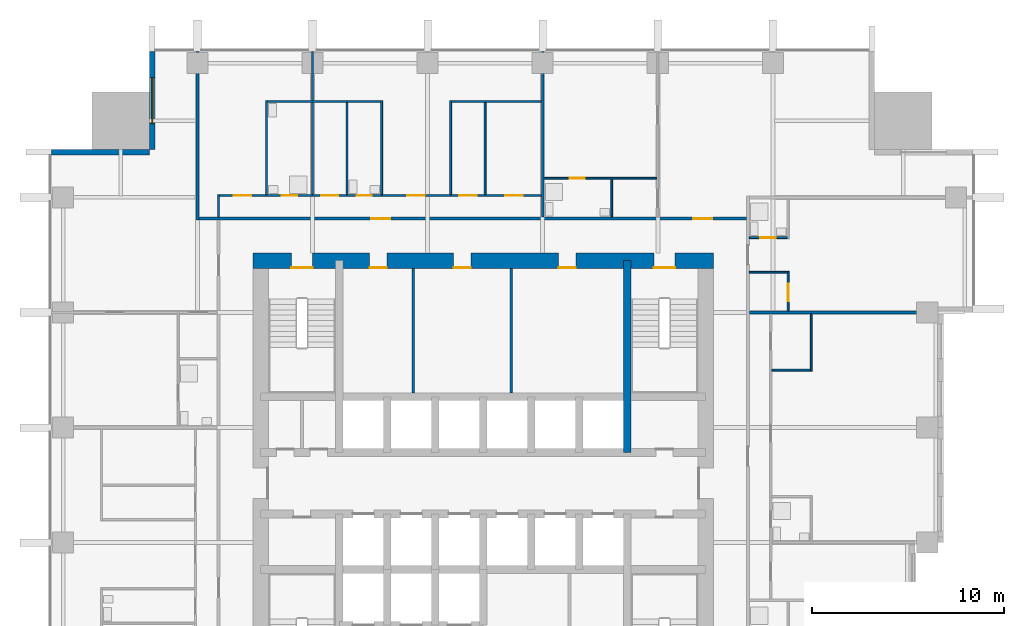
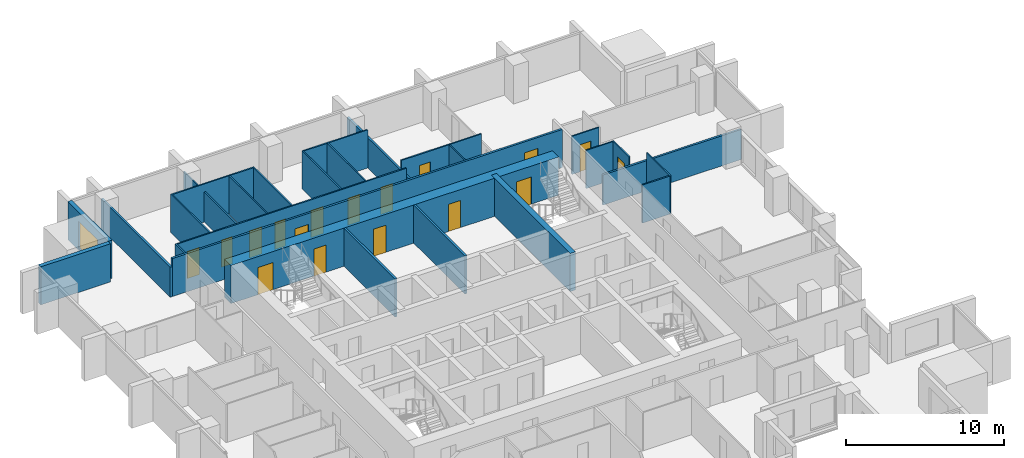
# One storey, part 7 of 10: 27 walls, 17 doors, 1 window, 18 openings.
"""IFC4 building model written with IfcOpenShell, lengths in metres."""

from ifc_helpers import new_model, si_unit, direction, frame, frame_2d, origin, place, context, subcontext, project, spatial, rectangle, extrude, material, layer, layer_set, type_object, element, fill, save


model = new_model("IFC4")

# Units and contexts
model_context = context("Model", 3, precision=1e-05, world=origin(), true_north=direction((0.0, 1.0)))
body_context = subcontext(model_context, "Body", "Model", "MODEL_VIEW")
ifc_project = project(units=[si_unit("LENGTHUNIT", "METRE"), si_unit("AREAUNIT", "SQUARE_METRE"), si_unit("VOLUMEUNIT", "CUBIC_METRE"), si_unit("PLANEANGLEUNIT", "RADIAN"), si_unit("MASSUNIT", "GRAM", prefix="KILO")], contexts=[model_context])

# Site, building, storey
site_placement = place(None, origin())
site = spatial("IfcSite", under=ifc_project, at=site_placement, CompositionType="ELEMENT")
building_placement = place(site_placement, origin())
building = spatial("IfcBuilding", under=site, at=building_placement, Name="Amberfall Residences", CompositionType="ELEMENT")
storey_placement = place(building_placement, frame((0.0, 0.0, 121.60009765625)))
storey = spatial("IfcBuildingStorey", under=building, at=storey_placement, Name="L33", CompositionType="ELEMENT", Elevation=121.60009765625)

# Wall, opening, window
ifc_material_1 = material(Name="Pale stone cladding on insulated backing", Category="masonry")
ifc_layer_1 = layer(ifc_material_1, 0.300048828125)
ifc_layer_set_1 = layer_set([ifc_layer_1], Name="Bronze clad wall 300")
wall_type_1 = type_object("IfcWallType", Name="Bronze clad wall 300", PredefinedType="SOLIDWALL", material=ifc_layer_set_1)
wall_1_placement = place(storey_placement, frame((57.25, 68.0, 0.0), z_axis=(0.0, 0.0, 1.0), x_axis=(0.0, -1.0, 0.0)))
wall_1 = element("IfcWall", 1, at=wall_1_placement, inside=storey, type_object=wall_type_1, Name="External wall L33 NW", PredefinedType="SOLIDWALL", context=body_context, shape_type="SweptSolid", body=[
    extrude(rectangle(XDim=5.10009765625, YDim=0.300048828125, at=frame_2d((2.550048828125, 0.0))), origin(), (0.0, 0.0, 1.0), 2.949951171875),
])
opening_1_placement = place(wall_1_placement, frame((1.35009765625, 0.0, 0.14990234375)))
opening_1 = element("IfcOpeningElement", 2, at=opening_1_placement, cuts=wall_1, Name="Opening WN5", PredefinedType="OPENING", context=body_context, shape_type="SweptSolid", body=[
    extrude(rectangle(XDim=2.39990234375, YDim=2.10009765625, at=frame_2d((1.199951171875, 1.050048828125))), frame((0.0, 0.159912109375, 0.0), z_axis=(0.0, -1.0, 0.0), x_axis=(1.0, 0.0, 0.0)), (0.0, 0.0, 1.0), 0.320068359375),
])
ifc_material_2 = material(Name="Bronze aluminium framed glazing", Category="aluminium")
window_type = type_object("IfcWindowType", Name="Glazed opening 2400 x 2100 bronze", PartitioningType="DOUBLE_PANEL_VERTICAL", PredefinedType="WINDOW", material=ifc_material_2)
window_placement = place(opening_1_placement, origin())
window = element("IfcWindow", 3, at=window_placement, inside=storey, type_object=window_type, Name="Window L33 NW", OverallHeight=2.10009765625, OverallWidth=2.39990234375, PartitioningType="DOUBLE_PANEL_VERTICAL", PredefinedType="WINDOW", context=body_context, shape_type="SweptSolid", body=[
    extrude(rectangle(XDim=2.39990234375, YDim=2.10009765625, at=frame_2d((1.199951171875, 1.050048828125))), frame((0.0, 0.030029296875, 0.0), z_axis=(0.0, -1.0, 0.0), x_axis=(1.0, 0.0, 0.0)), (0.0, 0.0, 1.0), 0.06005859375),
])
fill(opening_1, window)

# Walls
wall_2_placement = place(storey_placement, frame((57.10009765625, 62.75, 0.0), z_axis=(0.0, 0.0, 1.0), x_axis=(-1.0, 0.0, 0.0)))
element("IfcWall", 4, at=wall_2_placement, inside=storey, type_object=wall_type_1, Name="External wall L33 NW", PredefinedType="SOLIDWALL", context=body_context, shape_type="SweptSolid", body=[
    extrude(rectangle(XDim=5.10009765625, YDim=0.300048828125, at=frame_2d((2.550048828125, 0.0))), origin(), (0.0, 0.0, 1.0), 2.949951171875),
])
ifc_material_3 = material(Name="Concrete C70", Category="concrete")
ifc_layer_2 = layer(ifc_material_3, 0.39990234375)
ifc_layer_set_2 = layer_set([ifc_layer_2], Name="Core wall 400 C70")
wall_type_2 = type_object("IfcWallType", Name="Core wall 400 C70", PredefinedType="SHEAR", material=ifc_layer_set_2)
wall_3_placement = place(storey_placement, frame((82.0, 47.10009765625, 0.0), z_axis=(0.0, 0.0, 1.0), x_axis=(0.0, 1.0, 0.0)))
element("IfcWall", 5, at=wall_3_placement, inside=storey, type_object=wall_type_2, Name="Core wall RW4 L33 V195N", PredefinedType="SHEAR", context=body_context, shape_type="SweptSolid", body=[
    extrude(rectangle(XDim=10.0, YDim=0.39990234375, at=frame_2d((5.0, 0.0))), origin(), (0.0, 0.0, 1.0), 2.949951171875),
])

# Wall, openings, doors
ifc_layer_3 = layer(ifc_material_3, 0.800048828125)
ifc_layer_set_3 = layer_set([ifc_layer_3], Name="Core wall 800 C70")
wall_type_3 = type_object("IfcWallType", Name="Core wall 800 C70", PredefinedType="SHEAR", material=ifc_layer_set_3)
wall_4_placement = place(storey_placement, frame((62.5, 57.10009765625, 0.0), z_axis=(0.0, 0.0, 1.0), x_axis=(1.0, 0.0, 0.0)))
wall_4 = element("IfcWall", 6, at=wall_4_placement, inside=storey, type_object=wall_type_3, Name="Core wall RW3 L33 ON", PredefinedType="SHEAR", context=body_context, shape_type="SweptSolid", body=[
    extrude(rectangle(XDim=24.0, YDim=0.800048828125, at=frame_2d((12.0, 0.0))), origin(), (0.0, 0.0, 1.0), 2.949951171875),
])
opening_2_placement = place(wall_4_placement, frame((20.89990234375, 0.0, 0.0)))
opening_2 = element("IfcOpeningElement", 7, at=opening_2_placement, cuts=wall_4, Name="Opening SD1", PredefinedType="OPENING", context=body_context, shape_type="SweptSolid", body=[
    extrude(rectangle(XDim=1.10009765625, YDim=2.10009765625, at=frame_2d((0.550048828125, 1.050048828125))), frame((0.0, 0.409912109375, 0.0), z_axis=(0.0, -1.0, 0.0), x_axis=(1.0, 0.0, 0.0)), (0.0, 0.0, 1.0), 0.820068359375),
])
opening_3_placement = place(wall_4_placement, frame((2.0, 0.0, 0.0)))
opening_3 = element("IfcOpeningElement", 8, at=opening_3_placement, cuts=wall_4, Name="Opening SD1", PredefinedType="OPENING", context=body_context, shape_type="SweptSolid", body=[
    extrude(rectangle(XDim=1.10009765625, YDim=2.10009765625, at=frame_2d((0.550048828125, 1.050048828125))), frame((0.0, 0.409912109375, 0.0), z_axis=(0.0, -1.0, 0.0), x_axis=(1.0, 0.0, 0.0)), (0.0, 0.0, 1.0), 0.820068359375),
])
opening_4_placement = place(wall_4_placement, frame((6.074951171875, 0.0, 0.0)))
opening_4 = element("IfcOpeningElement", 9, at=opening_4_placement, cuts=wall_4, Name="Opening RD1", PredefinedType="OPENING", context=body_context, shape_type="SweptSolid", body=[
    extrude(rectangle(XDim=0.89990234375, YDim=2.10009765625, at=frame_2d((0.449951171875, 1.050048828125))), frame((0.0, 0.409912109375, 0.0), z_axis=(0.0, -1.0, 0.0), x_axis=(1.0, 0.0, 0.0)), (0.0, 0.0, 1.0), 0.820068359375),
])
opening_5_placement = place(wall_4_placement, frame((10.455078125, 0.0, 0.0)))
opening_5 = element("IfcOpeningElement", 10, at=opening_5_placement, cuts=wall_4, Name="Opening RD1", PredefinedType="OPENING", context=body_context, shape_type="SweptSolid", body=[
    extrude(rectangle(XDim=0.89990234375, YDim=2.10009765625, at=frame_2d((0.449951171875, 1.050048828125))), frame((0.0, 0.409912109375, 0.0), z_axis=(0.0, -1.0, 0.0), x_axis=(1.0, 0.0, 0.0)), (0.0, 0.0, 1.0), 0.820068359375),
])
opening_6_placement = place(wall_4_placement, frame((15.929931640625, 0.0, 0.0)))
opening_6 = element("IfcOpeningElement", 11, at=opening_6_placement, cuts=wall_4, Name="Opening RD1", PredefinedType="OPENING", context=body_context, shape_type="SweptSolid", body=[
    extrude(rectangle(XDim=0.89990234375, YDim=2.10009765625, at=frame_2d((0.449951171875, 1.050048828125))), frame((0.0, 0.409912109375, 0.0), z_axis=(0.0, -1.0, 0.0), x_axis=(1.0, 0.0, 0.0)), (0.0, 0.0, 1.0), 0.820068359375),
])
ifc_material_4 = material(Name="Steel fire door set", Category="steel")
door_type_1 = type_object("IfcDoorType", Name="Service room door 900 x 2100", OperationType="SINGLE_SWING_LEFT", PredefinedType="DOOR", material=ifc_material_4)
door_1_placement = place(opening_4_placement, origin())
door_1 = element("IfcDoor", 12, at=door_1_placement, inside=storey, type_object=door_type_1, Name="RD1 L33", OperationType="SINGLE_SWING_RIGHT", OverallHeight=2.10009765625, OverallWidth=0.89990234375, PredefinedType="DOOR", context=body_context, shape_type="SweptSolid", body=[
    extrude(rectangle(XDim=0.89990234375, YDim=2.10009765625, at=frame_2d((0.449951171875, 1.050048828125))), frame((0.0, -0.33740234375, 0.0), z_axis=(0.0, -1.0, 0.0), x_axis=(1.0, 0.0, 0.0)), (0.0, 0.0, 1.0), 0.050048828125),
])
fill(opening_4, door_1)
door_2_placement = place(opening_5_placement, origin())
door_2 = element("IfcDoor", 13, at=door_2_placement, inside=storey, type_object=door_type_1, Name="RD1 L33", OperationType="SINGLE_SWING_RIGHT", OverallHeight=2.10009765625, OverallWidth=0.89990234375, PredefinedType="DOOR", context=body_context, shape_type="SweptSolid", body=[
    extrude(rectangle(XDim=0.89990234375, YDim=2.10009765625, at=frame_2d((0.449951171875, 1.050048828125))), frame((0.0, -0.33740234375, 0.0), z_axis=(0.0, -1.0, 0.0), x_axis=(1.0, 0.0, 0.0)), (0.0, 0.0, 1.0), 0.050048828125),
])
fill(opening_5, door_2)
door_3_placement = place(opening_6_placement, origin())
door_3 = element("IfcDoor", 14, at=door_3_placement, inside=storey, type_object=door_type_1, Name="RD1 L33", OperationType="SINGLE_SWING_RIGHT", OverallHeight=2.10009765625, OverallWidth=0.89990234375, PredefinedType="DOOR", context=body_context, shape_type="SweptSolid", body=[
    extrude(rectangle(XDim=0.89990234375, YDim=2.10009765625, at=frame_2d((0.449951171875, 1.050048828125))), frame((0.0, -0.33740234375, 0.0), z_axis=(0.0, -1.0, 0.0), x_axis=(1.0, 0.0, 0.0)), (0.0, 0.0, 1.0), 0.050048828125),
])
fill(opening_6, door_3)
door_type_2 = type_object("IfcDoorType", Name="Stair door 1100 x 2100", OperationType="SINGLE_SWING_LEFT", PredefinedType="DOOR", material=ifc_material_4)
door_4_placement = place(opening_2_placement, origin())
door_4 = element("IfcDoor", 15, at=door_4_placement, inside=storey, type_object=door_type_2, Name="SD1 L33", OperationType="SINGLE_SWING_RIGHT", OverallHeight=2.10009765625, OverallWidth=1.10009765625, PredefinedType="DOOR", context=body_context, shape_type="SweptSolid", body=[
    extrude(rectangle(XDim=1.10009765625, YDim=2.10009765625, at=frame_2d((0.550048828125, 1.050048828125))), frame((0.0, -0.33740234375, 0.0), z_axis=(0.0, -1.0, 0.0), x_axis=(1.0, 0.0, 0.0)), (0.0, 0.0, 1.0), 0.050048828125),
])
fill(opening_2, door_4)
door_5_placement = place(opening_3_placement, origin())
door_5 = element("IfcDoor", 16, at=door_5_placement, inside=storey, type_object=door_type_2, Name="SD1 L33", OperationType="SINGLE_SWING_LEFT", OverallHeight=2.10009765625, OverallWidth=1.10009765625, PredefinedType="DOOR", context=body_context, shape_type="SweptSolid", body=[
    extrude(rectangle(XDim=1.10009765625, YDim=2.10009765625, at=frame_2d((0.550048828125, 1.050048828125))), frame((0.0, -0.33740234375, 0.0), z_axis=(0.0, -1.0, 0.0), x_axis=(1.0, 0.0, 0.0)), (0.0, 0.0, 1.0), 0.050048828125),
])
fill(opening_3, door_5)

# Walls
ifc_material_5 = material(Name="Gypsum board on metal stud")
ifc_layer_4 = layer(ifc_material_5, 0.10009765625)
ifc_layer_set_4 = layer_set([ifc_layer_4], Name="Flat partition 100")
wall_type_4 = type_object("IfcWallType", Name="Flat partition 100", PredefinedType="PARTITIONING", material=ifc_layer_set_4)
wall_5_placement = place(storey_placement, frame((60.699951171875, 59.375, 0.0), z_axis=(0.0, 0.0, 1.0), x_axis=(0.0, 1.0, 0.0)))
element("IfcWall", 17, at=wall_5_placement, inside=storey, type_object=wall_type_4, Name="Partition 005", PredefinedType="PARTITIONING", context=body_context, shape_type="SweptSolid", body=[
    extrude(rectangle(XDim=1.175048828125, YDim=0.10009765625, at=frame_2d((0.58740234375, 0.0))), origin(), (0.0, 0.0, 1.0), 2.949951171875),
])
wall_6_placement = place(storey_placement, frame((63.199951171875, 60.550048828125, 0.0), z_axis=(0.0, 0.0, 1.0), x_axis=(0.0, 1.0, 0.0)))
element("IfcWall", 18, at=wall_6_placement, inside=storey, type_object=wall_type_4, Name="Partition 006", PredefinedType="PARTITIONING", context=body_context, shape_type="SweptSolid", body=[
    extrude(rectangle(XDim=4.89990234375, YDim=0.10009765625, at=frame_2d((2.449951171875, 0.0))), origin(), (0.0, 0.0, 1.0), 2.949951171875),
])
wall_7_placement = place(storey_placement, frame((65.60009765625, 60.550048828125, 0.0), z_axis=(0.0, 0.0, 1.0), x_axis=(0.0, 1.0, 0.0)))
element("IfcWall", 19, at=wall_7_placement, inside=storey, type_object=wall_type_4, Name="Partition 007", PredefinedType="PARTITIONING", context=body_context, shape_type="SweptSolid", body=[
    extrude(rectangle(XDim=7.449951171875, YDim=0.10009765625, at=frame_2d((3.72509765625, 0.0))), origin(), (0.0, 0.0, 1.0), 2.331787109375),
])
wall_8_placement = place(storey_placement, frame((67.39990234375, 60.550048828125, 0.0), z_axis=(0.0, 0.0, 1.0), x_axis=(0.0, 1.0, 0.0)))
element("IfcWall", 20, at=wall_8_placement, inside=storey, type_object=wall_type_4, Name="Partition 008", PredefinedType="PARTITIONING", context=body_context, shape_type="SweptSolid", body=[
    extrude(rectangle(XDim=4.800048828125, YDim=0.10009765625, at=frame_2d((2.39990234375, 0.0))), origin(), (0.0, 0.0, 1.0), 2.949951171875),
])
for number, where, z_axis, x_axis, name in (
    (21, (69.199951171875, 60.550048828125, 0.0), (0.0, 0.0, 1.0), (0.0, 1.0, 0.0), "Partition 010"),
    (22, (72.800048828125, 60.550048828125, 0.0), (0.0, 0.0, 1.0), (0.0, 1.0, 0.0), "Partition 012"),
):
    element("IfcWall", number, at=place(storey_placement, frame(where, z_axis=z_axis, x_axis=x_axis)), inside=storey, type_object=wall_type_4, Name=name, PredefinedType="PARTITIONING", context=body_context, shape_type="SweptSolid", body=[
        extrude(rectangle(XDim=4.89990234375, YDim=0.10009765625, at=frame_2d((2.449951171875, 0.0))), origin(), (0.0, 0.0, 1.0), 2.949951171875),
    ])
wall_9_placement = place(storey_placement, frame((74.60009765625, 60.550048828125, 0.0), z_axis=(0.0, 0.0, 1.0), x_axis=(0.0, 1.0, 0.0)))
element("IfcWall", 23, at=wall_9_placement, inside=storey, type_object=wall_type_4, Name="Partition 013", PredefinedType="PARTITIONING", context=body_context, shape_type="SweptSolid", body=[
    extrude(rectangle(XDim=4.800048828125, YDim=0.10009765625, at=frame_2d((2.39990234375, 0.0))), origin(), (0.0, 0.0, 1.0), 2.949951171875),
])
wall_10_placement = place(storey_placement, frame((81.199951171875, 59.375, 0.0), z_axis=(0.0, 0.0, 1.0), x_axis=(0.0, 1.0, 0.0)))
element("IfcWall", 24, at=wall_10_placement, inside=storey, type_object=wall_type_4, Name="Partition 016", PredefinedType="PARTITIONING", context=body_context, shape_type="SweptSolid", body=[
    extrude(rectangle(XDim=1.97509765625, YDim=0.10009765625, at=frame_2d((0.987548828125, 0.0))), origin(), (0.0, 0.0, 1.0), 2.949951171875),
])

# Wall, opening, door
wall_11_placement = place(storey_placement, frame((90.39990234375, 54.47509765625, 0.0), z_axis=(0.0, 0.0, 1.0), x_axis=(0.0, 1.0, 0.0)))
wall_11 = element("IfcWall", 25, at=wall_11_placement, inside=storey, type_object=wall_type_4, Name="Partition 021", PredefinedType="PARTITIONING", context=body_context, shape_type="SweptSolid", body=[
    extrude(rectangle(XDim=2.074951171875, YDim=0.10009765625, at=frame_2d((1.03759765625, 0.0))), origin(), (0.0, 0.0, 1.0), 2.949951171875),
])
opening_7_placement = place(wall_11_placement, frame((0.52490234375, 0.0, 0.0)))
opening_7 = element("IfcOpeningElement", 26, at=opening_7_placement, cuts=wall_11, Name="Opening D41", PredefinedType="OPENING", context=body_context, shape_type="SweptSolid", body=[
    extrude(rectangle(XDim=0.89990234375, YDim=2.10009765625, at=frame_2d((0.449951171875, 1.050048828125))), frame((0.0, 0.06005859375, 0.0), z_axis=(0.0, -1.0, 0.0), x_axis=(1.0, 0.0, 0.0)), (0.0, 0.0, 1.0), 0.1201171875),
])
ifc_material_6 = material(Name="Timber", Category="wood")
door_type_3 = type_object("IfcDoorType", Name="Internal door 900 x 2100", OperationType="SINGLE_SWING_LEFT", PredefinedType="DOOR", material=ifc_material_6)
door_6_placement = place(opening_7_placement, origin())
door_6 = element("IfcDoor", 27, at=door_6_placement, inside=storey, type_object=door_type_3, Name="Door 3305 kitchen", OperationType="SINGLE_SWING_LEFT", OverallHeight=2.10009765625, OverallWidth=0.89990234375, PredefinedType="DOOR", context=body_context, shape_type="SweptSolid", body=[
    extrude(rectangle(XDim=0.89990234375, YDim=2.10009765625, at=frame_2d((0.449951171875, 1.050048828125))), frame((0.0, 0.02490234375, 0.0), z_axis=(0.0, -1.0, 0.0), x_axis=(1.0, 0.0, 0.0)), (0.0, 0.0, 1.0), 0.050048828125),
])
fill(opening_7, door_6)

# Walls
wall_12_placement = place(storey_placement, frame((91.60009765625, 51.35009765625, 0.0), z_axis=(0.0, 0.0, 1.0), x_axis=(0.0, 1.0, 0.0)))
element("IfcWall", 28, at=wall_12_placement, inside=storey, type_object=wall_type_4, Name="Partition 024", PredefinedType="PARTITIONING", context=body_context, shape_type="SweptSolid", body=[
    extrude(rectangle(XDim=2.974853515625, YDim=0.10009765625, at=frame_2d((1.4873046875, 0.0))), origin(), (0.0, 0.0, 1.0), 2.949951171875),
])
wall_13_placement = place(storey_placement, frame((63.25, 65.39990234375, 0.0), z_axis=(0.0, 0.0, 1.0), x_axis=(1.0, 0.0, 0.0)))
element("IfcWall", 29, at=wall_13_placement, inside=storey, type_object=wall_type_4, Name="Partition 025", PredefinedType="PARTITIONING", context=body_context, shape_type="SweptSolid", body=[
    extrude(rectangle(XDim=5.89990234375, YDim=0.10009765625, at=frame_2d((2.949951171875, 0.0))), origin(), (0.0, 0.0, 1.0), 2.949951171875),
])
wall_14_placement = place(storey_placement, frame((72.85009765625, 65.39990234375, 0.0), z_axis=(0.0, 0.0, 1.0), x_axis=(1.0, 0.0, 0.0)))
element("IfcWall", 30, at=wall_14_placement, inside=storey, type_object=wall_type_4, Name="Partition 026", PredefinedType="PARTITIONING", context=body_context, shape_type="SweptSolid", body=[
    extrude(rectangle(XDim=4.6748046875, YDim=0.10009765625, at=frame_2d((2.33740234375, 0.0))), origin(), (0.0, 0.0, 1.0), 2.949951171875),
])

# Wall, opening, door
wall_15_placement = place(storey_placement, frame((83.550048828125, 61.39990234375, 0.0), z_axis=(0.0, 0.0, 1.0), x_axis=(-1.0, 0.0, 0.0)))
wall_15 = element("IfcWall", 31, at=wall_15_placement, inside=storey, type_object=wall_type_4, Name="Partition 027", PredefinedType="PARTITIONING", context=body_context, shape_type="SweptSolid", body=[
    extrude(rectangle(XDim=5.875, YDim=0.10009765625, at=frame_2d((2.9375, 0.0))), origin(), (0.0, 0.0, 1.0), 2.949951171875),
])
opening_8_placement = place(wall_15_placement, frame((3.75, 0.0, 0.0)))
opening_8 = element("IfcOpeningElement", 32, at=opening_8_placement, cuts=wall_15, Name="Opening D42", PredefinedType="OPENING", context=body_context, shape_type="SweptSolid", body=[
    extrude(rectangle(XDim=0.800048828125, YDim=2.10009765625, at=frame_2d((0.39990234375, 1.050048828125))), frame((0.0, 0.06005859375, 0.0), z_axis=(0.0, -1.0, 0.0), x_axis=(1.0, 0.0, 0.0)), (0.0, 0.0, 1.0), 0.1201171875),
])
door_type_4 = type_object("IfcDoorType", Name="Bathroom door 800 x 2100", OperationType="SINGLE_SWING_LEFT", PredefinedType="DOOR", material=ifc_material_6)
door_7_placement = place(opening_8_placement, origin())
door_7 = element("IfcDoor", 33, at=door_7_placement, inside=storey, type_object=door_type_4, Name="Door 3307 bath1", OperationType="SINGLE_SWING_LEFT", OverallHeight=2.10009765625, OverallWidth=0.800048828125, PredefinedType="DOOR", context=body_context, shape_type="SweptSolid", body=[
    extrude(rectangle(XDim=0.800048828125, YDim=2.10009765625, at=frame_2d((0.39990234375, 1.050048828125))), frame((0.0, 0.02490234375, 0.0), z_axis=(0.0, -1.0, 0.0), x_axis=(1.0, 0.0, 0.0)), (0.0, 0.0, 1.0), 0.050048828125),
])
fill(opening_8, door_7)

# Wall, openings, doors
wall_16_placement = place(storey_placement, frame((60.75, 60.5, 0.0), z_axis=(0.0, 0.0, 1.0), x_axis=(1.0, 0.0, 0.0)))
wall_16 = element("IfcWall", 34, at=wall_16_placement, inside=storey, type_object=wall_type_4, Name="Partition 028", PredefinedType="PARTITIONING", context=body_context, shape_type="SweptSolid", body=[
    extrude(rectangle(XDim=16.77490234375, YDim=0.10009765625, at=frame_2d((8.387451171875, 0.0))), origin(), (0.0, 0.0, 1.0), 2.949951171875),
])
opening_9_placement = place(wall_16_placement, frame((9.800048828125, 0.0, 0.0)))
opening_9 = element("IfcOpeningElement", 35, at=opening_9_placement, cuts=wall_16, Name="Opening D41", PredefinedType="OPENING", context=body_context, shape_type="SweptSolid", body=[
    extrude(rectangle(XDim=0.89990234375, YDim=2.10009765625, at=frame_2d((0.449951171875, 1.050048828125))), frame((0.0, 0.06005859375, 0.0), z_axis=(0.0, -1.0, 0.0), x_axis=(1.0, 0.0, 0.0)), (0.0, 0.0, 1.0), 0.1201171875),
])
opening_10_placement = place(wall_16_placement, frame((14.89990234375, 0.0, 0.0)))
opening_10 = element("IfcOpeningElement", 36, at=opening_10_placement, cuts=wall_16, Name="Opening D41", PredefinedType="OPENING", context=body_context, shape_type="SweptSolid", body=[
    extrude(rectangle(XDim=0.89990234375, YDim=2.10009765625, at=frame_2d((0.449951171875, 1.050048828125))), frame((0.0, 0.06005859375, 0.0), z_axis=(0.0, -1.0, 0.0), x_axis=(1.0, 0.0, 0.0)), (0.0, 0.0, 1.0), 0.1201171875),
])
opening_11_placement = place(wall_16_placement, frame((12.5, 0.0, 0.0)))
opening_11 = element("IfcOpeningElement", 37, at=opening_11_placement, cuts=wall_16, Name="Opening D41", PredefinedType="OPENING", context=body_context, shape_type="SweptSolid", body=[
    extrude(rectangle(XDim=0.89990234375, YDim=2.10009765625, at=frame_2d((0.449951171875, 1.050048828125))), frame((0.0, 0.06005859375, 0.0), z_axis=(0.0, -1.0, 0.0), x_axis=(1.0, 0.0, 0.0)), (0.0, 0.0, 1.0), 0.1201171875),
])
opening_12_placement = place(wall_16_placement, frame((5.300048828125, 0.0, 0.0)))
opening_12 = element("IfcOpeningElement", 38, at=opening_12_placement, cuts=wall_16, Name="Opening D41", PredefinedType="OPENING", context=body_context, shape_type="SweptSolid", body=[
    extrude(rectangle(XDim=0.89990234375, YDim=2.10009765625, at=frame_2d((0.449951171875, 1.050048828125))), frame((0.0, 0.06005859375, 0.0), z_axis=(0.0, -1.0, 0.0), x_axis=(1.0, 0.0, 0.0)), (0.0, 0.0, 1.0), 0.1201171875),
])
opening_13_placement = place(wall_16_placement, frame((7.14990234375, 0.0, 0.0)))
opening_13 = element("IfcOpeningElement", 39, at=opening_13_placement, cuts=wall_16, Name="Opening D42", PredefinedType="OPENING", context=body_context, shape_type="SweptSolid", body=[
    extrude(rectangle(XDim=0.800048828125, YDim=2.10009765625, at=frame_2d((0.39990234375, 1.050048828125))), frame((0.0, 0.06005859375, 0.0), z_axis=(0.0, -1.0, 0.0), x_axis=(1.0, 0.0, 0.0)), (0.0, 0.0, 1.0), 0.1201171875),
])
opening_14_placement = place(wall_16_placement, frame((0.75, 0.0, 0.0)))
opening_14 = element("IfcOpeningElement", 40, at=opening_14_placement, cuts=wall_16, Name="Opening D41", PredefinedType="OPENING", context=body_context, shape_type="SweptSolid", body=[
    extrude(rectangle(XDim=0.89990234375, YDim=2.10009765625, at=frame_2d((0.449951171875, 1.050048828125))), frame((0.0, 0.06005859375, 0.0), z_axis=(0.0, -1.0, 0.0), x_axis=(1.0, 0.0, 0.0)), (0.0, 0.0, 1.0), 0.1201171875),
])
opening_15_placement = place(wall_16_placement, frame((3.25, 0.0, 0.0)))
opening_15 = element("IfcOpeningElement", 41, at=opening_15_placement, cuts=wall_16, Name="Opening D42", PredefinedType="OPENING", context=body_context, shape_type="SweptSolid", body=[
    extrude(rectangle(XDim=0.800048828125, YDim=2.10009765625, at=frame_2d((0.39990234375, 1.050048828125))), frame((0.0, 0.06005859375, 0.0), z_axis=(0.0, -1.0, 0.0), x_axis=(1.0, 0.0, 0.0)), (0.0, 0.0, 1.0), 0.1201171875),
])
door_8_placement = place(opening_13_placement, origin())
door_8 = element("IfcDoor", 42, at=door_8_placement, inside=storey, type_object=door_type_4, Name="Door 3306 wc1", OperationType="SINGLE_SWING_LEFT", OverallHeight=2.10009765625, OverallWidth=0.800048828125, PredefinedType="DOOR", context=body_context, shape_type="SweptSolid", body=[
    extrude(rectangle(XDim=0.800048828125, YDim=2.10009765625, at=frame_2d((0.39990234375, 1.050048828125))), frame((0.0, 0.02490234375, 0.0), z_axis=(0.0, -1.0, 0.0), x_axis=(1.0, 0.0, 0.0)), (0.0, 0.0, 1.0), 0.050048828125),
])
fill(opening_13, door_8)
door_9_placement = place(opening_15_placement, origin())
door_9 = element("IfcDoor", 43, at=door_9_placement, inside=storey, type_object=door_type_4, Name="Door 3306 bath1", OperationType="SINGLE_SWING_LEFT", OverallHeight=2.10009765625, OverallWidth=0.800048828125, PredefinedType="DOOR", context=body_context, shape_type="SweptSolid", body=[
    extrude(rectangle(XDim=0.800048828125, YDim=2.10009765625, at=frame_2d((0.39990234375, 1.050048828125))), frame((0.0, 0.02490234375, 0.0), z_axis=(0.0, -1.0, 0.0), x_axis=(1.0, 0.0, 0.0)), (0.0, 0.0, 1.0), 0.050048828125),
])
fill(opening_15, door_9)
door_10_placement = place(opening_9_placement, origin())
door_10 = element("IfcDoor", 44, at=door_10_placement, inside=storey, type_object=door_type_3, Name="Door 3306 living", OperationType="SINGLE_SWING_LEFT", OverallHeight=2.10009765625, OverallWidth=0.89990234375, PredefinedType="DOOR", context=body_context, shape_type="SweptSolid", body=[
    extrude(rectangle(XDim=0.89990234375, YDim=2.10009765625, at=frame_2d((0.449951171875, 1.050048828125))), frame((0.0, 0.02490234375, 0.0), z_axis=(0.0, -1.0, 0.0), x_axis=(1.0, 0.0, 0.0)), (0.0, 0.0, 1.0), 0.050048828125),
])
fill(opening_9, door_10)
door_11_placement = place(opening_10_placement, origin())
door_11 = element("IfcDoor", 45, at=door_11_placement, inside=storey, type_object=door_type_3, Name="Door 3306 kitchen", OperationType="SINGLE_SWING_LEFT", OverallHeight=2.10009765625, OverallWidth=0.89990234375, PredefinedType="DOOR", context=body_context, shape_type="SweptSolid", body=[
    extrude(rectangle(XDim=0.89990234375, YDim=2.10009765625, at=frame_2d((0.449951171875, 1.050048828125))), frame((0.0, 0.02490234375, 0.0), z_axis=(0.0, -1.0, 0.0), x_axis=(1.0, 0.0, 0.0)), (0.0, 0.0, 1.0), 0.050048828125),
])
fill(opening_10, door_11)
door_12_placement = place(opening_11_placement, origin())
door_12 = element("IfcDoor", 46, at=door_12_placement, inside=storey, type_object=door_type_3, Name="Door 3306 utility", OperationType="SINGLE_SWING_LEFT", OverallHeight=2.10009765625, OverallWidth=0.89990234375, PredefinedType="DOOR", context=body_context, shape_type="SweptSolid", body=[
    extrude(rectangle(XDim=0.89990234375, YDim=2.10009765625, at=frame_2d((0.449951171875, 1.050048828125))), frame((0.0, 0.02490234375, 0.0), z_axis=(0.0, -1.0, 0.0), x_axis=(1.0, 0.0, 0.0)), (0.0, 0.0, 1.0), 0.050048828125),
])
fill(opening_11, door_12)
door_13_placement = place(opening_12_placement, origin())
door_13 = element("IfcDoor", 47, at=door_13_placement, inside=storey, type_object=door_type_3, Name="Door 3306 store", OperationType="SINGLE_SWING_LEFT", OverallHeight=2.10009765625, OverallWidth=0.89990234375, PredefinedType="DOOR", context=body_context, shape_type="SweptSolid", body=[
    extrude(rectangle(XDim=0.89990234375, YDim=2.10009765625, at=frame_2d((0.449951171875, 1.050048828125))), frame((0.0, 0.02490234375, 0.0), z_axis=(0.0, -1.0, 0.0), x_axis=(1.0, 0.0, 0.0)), (0.0, 0.0, 1.0), 0.050048828125),
])
fill(opening_12, door_13)
door_14_placement = place(opening_14_placement, origin())
door_14 = element("IfcDoor", 48, at=door_14_placement, inside=storey, type_object=door_type_3, Name="Door 3306 bedroom1", OperationType="SINGLE_SWING_LEFT", OverallHeight=2.10009765625, OverallWidth=0.89990234375, PredefinedType="DOOR", context=body_context, shape_type="SweptSolid", body=[
    extrude(rectangle(XDim=0.89990234375, YDim=2.10009765625, at=frame_2d((0.449951171875, 1.050048828125))), frame((0.0, 0.02490234375, 0.0), z_axis=(0.0, -1.0, 0.0), x_axis=(1.0, 0.0, 0.0)), (0.0, 0.0, 1.0), 0.050048828125),
])
fill(opening_14, door_14)

# Wall, opening, door
wall_17_placement = place(storey_placement, frame((88.375, 58.300048828125, 0.0), z_axis=(0.0, 0.0, 1.0), x_axis=(1.0, 0.0, 0.0)))
wall_17 = element("IfcWall", 49, at=wall_17_placement, inside=storey, type_object=wall_type_4, Name="Partition 029", PredefinedType="PARTITIONING", context=body_context, shape_type="SweptSolid", body=[
    extrude(rectangle(XDim=1.97509765625, YDim=0.10009765625, at=frame_2d((0.987548828125, 0.0))), origin(), (0.0, 0.0, 1.0), 2.949951171875),
])
opening_16_placement = place(wall_17_placement, frame((0.574951171875, 0.0, 0.0)))
opening_16 = element("IfcOpeningElement", 50, at=opening_16_placement, cuts=wall_17, Name="Opening D42", PredefinedType="OPENING", context=body_context, shape_type="SweptSolid", body=[
    extrude(rectangle(XDim=0.800048828125, YDim=2.10009765625, at=frame_2d((0.39990234375, 1.050048828125))), frame((0.0, 0.06005859375, 0.0), z_axis=(0.0, -1.0, 0.0), x_axis=(1.0, 0.0, 0.0)), (0.0, 0.0, 1.0), 0.1201171875),
])
door_15_placement = place(opening_16_placement, origin())
door_15 = element("IfcDoor", 51, at=door_15_placement, inside=storey, type_object=door_type_4, Name="Door 3305 bath1", OperationType="SINGLE_SWING_LEFT", OverallHeight=2.10009765625, OverallWidth=0.800048828125, PredefinedType="DOOR", context=body_context, shape_type="SweptSolid", body=[
    extrude(rectangle(XDim=0.800048828125, YDim=2.10009765625, at=frame_2d((0.39990234375, 1.050048828125))), frame((0.0, 0.02490234375, 0.0), z_axis=(0.0, -1.0, 0.0), x_axis=(1.0, 0.0, 0.0)), (0.0, 0.0, 1.0), 0.050048828125),
])
fill(opening_16, door_15)

# Walls
wall_18_placement = place(storey_placement, frame((88.375, 56.5, 0.0), z_axis=(0.0, 0.0, 1.0), x_axis=(1.0, 0.0, 0.0)))
element("IfcWall", 52, at=wall_18_placement, inside=storey, type_object=wall_type_4, Name="Partition 030", PredefinedType="PARTITIONING", context=body_context, shape_type="SweptSolid", body=[
    extrude(rectangle(XDim=1.97509765625, YDim=0.10009765625, at=frame_2d((0.987548828125, 0.0))), origin(), (0.0, 0.0, 1.0), 2.949951171875),
])
wall_19_placement = place(storey_placement, frame((89.550048828125, 51.39990234375, 0.0), z_axis=(0.0, 0.0, 1.0), x_axis=(1.0, 0.0, 0.0)))
element("IfcWall", 53, at=wall_19_placement, inside=storey, type_object=wall_type_4, Name="Partition 033", PredefinedType="PARTITIONING", context=body_context, shape_type="SweptSolid", body=[
    extrude(rectangle(XDim=2.0, YDim=0.10009765625, at=frame_2d((1.0, 0.0))), origin(), (0.0, 0.0, 1.0), 2.949951171875),
])
ifc_material_7 = material(Name="Blockwork, plastered", Category="masonry")
ifc_layer_5 = layer(ifc_material_7, 0.14990234375)
ifc_layer_set_5 = layer_set([ifc_layer_5], Name="Flat separating wall 150")
wall_type_5 = type_object("IfcWallType", Name="Flat separating wall 150", PredefinedType="PARTITIONING", material=ifc_layer_set_5)
wall_20_placement = place(storey_placement, frame((59.60009765625, 59.22509765625, 0.0), z_axis=(0.0, 0.0, 1.0), x_axis=(0.0, 1.0, 0.0)))
element("IfcWall", 54, at=wall_20_placement, inside=storey, type_object=wall_type_5, Name="Separating wall 048", PredefinedType="PARTITIONING", context=body_context, shape_type="SweptSolid", body=[
    extrude(rectangle(XDim=8.77490234375, YDim=0.14990234375, at=frame_2d((4.387451171875, 0.0))), origin(), (0.0, 0.0, 1.0), 2.331787109375),
])
wall_21_placement = place(storey_placement, frame((77.60009765625, 59.375, 0.0), z_axis=(0.0, 0.0, 1.0), x_axis=(0.0, 1.0, 0.0)))
element("IfcWall", 55, at=wall_21_placement, inside=storey, type_object=wall_type_5, Name="Separating wall 051", PredefinedType="PARTITIONING", context=body_context, shape_type="SweptSolid", body=[
    extrude(rectangle(XDim=8.625, YDim=0.14990234375, at=frame_2d((4.3125, 0.0))), origin(), (0.0, 0.0, 1.0), 2.331787109375),
])

# Wall, openings, doors
wall_22_placement = place(storey_placement, frame((59.675048828125, 59.300048828125, 0.0), z_axis=(0.0, 0.0, 1.0), x_axis=(1.0, 0.0, 0.0)))
wall_22 = element("IfcWall", 56, at=wall_22_placement, inside=storey, type_object=wall_type_5, Name="Separating wall 055", PredefinedType="PARTITIONING", context=body_context, shape_type="SweptSolid", body=[
    extrude(rectangle(XDim=28.550048828125, YDim=0.14990234375, at=frame_2d((14.27490234375, 0.0))), origin(), (0.0, 0.0, 1.0), 2.949951171875),
])
opening_17_placement = place(wall_22_placement, frame((8.97509765625, 0.0, 0.0)))
opening_17 = element("IfcOpeningElement", 57, at=opening_17_placement, cuts=wall_22, Name="Opening D40", PredefinedType="OPENING", context=body_context, shape_type="SweptSolid", body=[
    extrude(rectangle(XDim=1.0, YDim=2.10009765625, at=frame_2d((0.5, 1.050048828125))), frame((0.0, 0.0849609375, 0.0), z_axis=(0.0, -1.0, 0.0), x_axis=(1.0, 0.0, 0.0)), (0.0, 0.0, 1.0), 0.169921875),
])
opening_18_placement = place(wall_22_placement, frame((25.77490234375, 0.0, 0.0)))
opening_18 = element("IfcOpeningElement", 58, at=opening_18_placement, cuts=wall_22, Name="Opening D40", PredefinedType="OPENING", context=body_context, shape_type="SweptSolid", body=[
    extrude(rectangle(XDim=1.0, YDim=2.10009765625, at=frame_2d((0.5, 1.050048828125))), frame((0.0, 0.0849609375, 0.0), z_axis=(0.0, -1.0, 0.0), x_axis=(1.0, 0.0, 0.0)), (0.0, 0.0, 1.0), 0.169921875),
])
ifc_material_8 = material(Name="Timber, fire-rated", Category="wood")
door_type_5 = type_object("IfcDoorType", Name="Flat entrance door FD60 1000 x 2100", OperationType="SINGLE_SWING_LEFT", PredefinedType="DOOR", material=ifc_material_8)
door_16_placement = place(opening_17_placement, origin())
door_16 = element("IfcDoor", 59, at=door_16_placement, inside=storey, type_object=door_type_5, Name="Door 3306 entrance", OperationType="SINGLE_SWING_LEFT", OverallHeight=2.10009765625, OverallWidth=1.0, PredefinedType="DOOR", context=body_context, shape_type="SweptSolid", body=[
    extrude(rectangle(XDim=1.0, YDim=2.10009765625, at=frame_2d((0.5, 1.050048828125))), frame((0.0, 0.02490234375, 0.0), z_axis=(0.0, -1.0, 0.0), x_axis=(1.0, 0.0, 0.0)), (0.0, 0.0, 1.0), 0.050048828125),
])
fill(opening_17, door_16)
door_17_placement = place(opening_18_placement, origin())
door_17 = element("IfcDoor", 60, at=door_17_placement, inside=storey, type_object=door_type_5, Name="Door 3307 entrance", OperationType="SINGLE_SWING_LEFT", OverallHeight=2.10009765625, OverallWidth=1.0, PredefinedType="DOOR", context=body_context, shape_type="SweptSolid", body=[
    extrude(rectangle(XDim=1.0, YDim=2.10009765625, at=frame_2d((0.5, 1.050048828125))), frame((0.0, 0.02490234375, 0.0), z_axis=(0.0, -1.0, 0.0), x_axis=(1.0, 0.0, 0.0)), (0.0, 0.0, 1.0), 0.050048828125),
])
fill(opening_18, door_17)

# Walls
wall_23_placement = place(storey_placement, frame((88.375, 54.39990234375, 0.0), z_axis=(0.0, 0.0, 1.0), x_axis=(1.0, 0.0, 0.0)))
element("IfcWall", 61, at=wall_23_placement, inside=storey, type_object=wall_type_5, Name="Separating wall 056", PredefinedType="PARTITIONING", context=body_context, shape_type="SweptSolid", body=[
    extrude(rectangle(XDim=10.125, YDim=0.14990234375, at=frame_2d((5.0625, 0.0))), origin(), (0.0, 0.0, 1.0), 2.331787109375),
])
ifc_material_9 = material(Name="Concrete blockwork", Category="masonry")
ifc_layer_6 = layer(ifc_material_9, 0.14990234375)
ifc_layer_set_6 = layer_set([ifc_layer_6], Name="Riser wall 150")
wall_type_6 = type_object("IfcWallType", Name="Riser wall 150", PredefinedType="PLUMBINGWALL", material=ifc_layer_set_6)
for number, where, z_axis, x_axis, name in (
    (62, (70.85009765625, 50.199951171875, 0.0), (0.0, 0.0, 1.0), (0.0, 1.0, 0.0), "L33 core wall N0"),
    (63, (75.9599609375, 50.199951171875, 0.0), (0.0, 0.0, 1.0), (0.0, 1.0, 0.0), "L33 core wall N1"),
):
    element("IfcWall", number, at=place(storey_placement, frame(where, z_axis=z_axis, x_axis=x_axis)), inside=storey, type_object=wall_type_6, Name=name, PredefinedType="PLUMBINGWALL", context=body_context, shape_type="SweptSolid", body=[
        extrude(rectangle(XDim=6.5, YDim=0.14990234375, at=frame_2d((3.25, 0.0))), origin(), (0.0, 0.0, 1.0), 2.949951171875),
    ])

save(model, "model.ifc")
